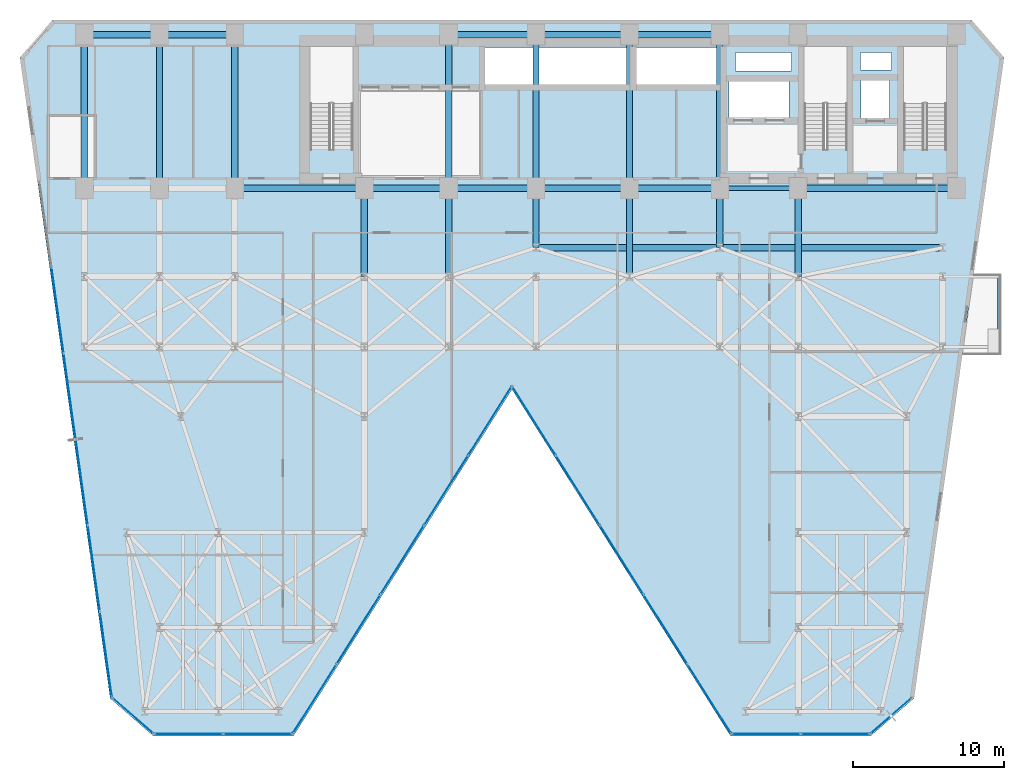
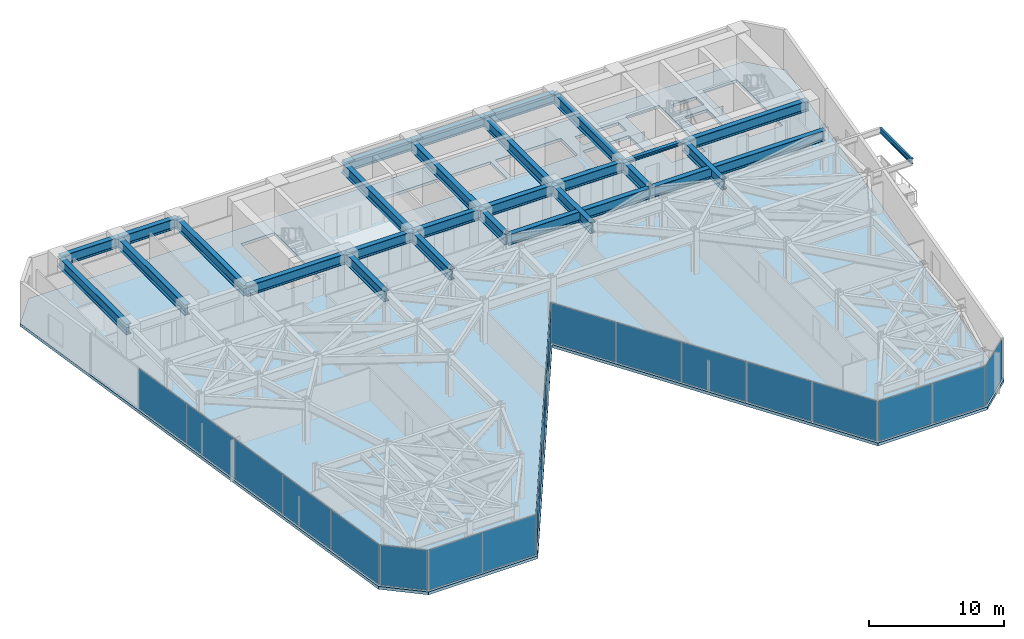
# One storey, part 18 of 25: 28 beams, 21 plates, 1 slab, 7 elements without a shape of their own.
"""IFC4 building model written with IfcOpenShell, lengths in metres."""

import ifcopenshell
import ifcopenshell.guid

model = None  # the IFC model being written
_history = None  # IfcOwnerHistory: only IFC2X3 demands one
_inside = {}  # id of a spatial element -> (the spatial element, [elements in it])
_under = {}  # id of a project, library or spatial element -> (it, [spatial elements below it])
_declared = {}  # id of a project -> (the project, [libraries it declares])
_typed = {}  # id of a type object -> (the type object, [elements of that type])
_made_of = {}  # id of a material, layer set ... -> (it, [elements and type objects made of it])


def new_model(schema):
    """Start an empty IFC model of exactly this schema.

    Asked for "IFC4X3", IfcOpenShell would pick the latest addendum, in which some entities
    have other attributes; the version numbers below select the first issue.
    IFC2X3 requires an IfcOwnerHistory on every rooted entity: one is made here for all.
    """
    global model, _history
    if schema == "IFC4X3":
        model = ifcopenshell.file(schema_version=(4, 3, 0, 0))
    else:
        model = ifcopenshell.file(schema=schema)
    _inside.clear()
    _under.clear()
    _declared.clear()
    _typed.clear()
    _made_of.clear()
    _history = None
    if model.schema == "IFC2X3":
        org = make("IfcOrganization", Name="unknown")
        user = make(
            "IfcPersonAndOrganization",
            ThePerson=make("IfcPerson", FamilyName="unknown"),
            TheOrganization=org,
        )
        app = make(
            "IfcApplication",
            ApplicationDeveloper=org,
            Version="unknown",
            ApplicationFullName="unknown",
            ApplicationIdentifier="unknown",
        )
        _history = make(
            "IfcOwnerHistory",
            OwningUser=user,
            OwningApplication=app,
            ChangeAction="ADDED",
            CreationDate=0,
        )
    return model


def make(cls, **values):
    """One entity of the class cls with the attributes given. An attribute that is None is left unset."""
    return model.create_entity(
        cls, **{name: value for name, value in values.items() if value is not None}
    )


def rooted(cls, **values):
    """An entity with a GlobalId (a new one), such as an element, a storey or a relation."""
    return make(cls, GlobalId=ifcopenshell.guid.new(), OwnerHistory=_history, **values)


def si_unit(unit_type, name, prefix=None):
    """IfcSIUnit, for example si_unit("LENGTHUNIT", "METRE", prefix="MILLI")."""
    return make("IfcSIUnit", UnitType=unit_type, Prefix=prefix, Name=name)


def assignment(units):
    """IfcUnitAssignment: the units of a project."""
    return None if units is None else make("IfcUnitAssignment", Units=units)


def point(xyz):
    """IfcCartesianPoint."""
    return None if xyz is None else make("IfcCartesianPoint", Coordinates=xyz)


def direction(xyz):
    """IfcDirection."""
    return None if xyz is None else make("IfcDirection", DirectionRatios=xyz)


def frame(location, z_axis=None, x_axis=None):
    """IfcAxis2Placement3D, a coordinate frame: its origin and axes. An axis left out is left unset."""
    return make(
        "IfcAxis2Placement3D",
        Location=point(location),
        Axis=direction(z_axis),
        RefDirection=direction(x_axis),
    )


def frame_2d(location, x_axis=None):
    """IfcAxis2Placement2D, a coordinate frame in the plane: its origin and x axis."""
    return make(
        "IfcAxis2Placement2D", Location=point(location), RefDirection=direction(x_axis)
    )


def origin():
    """The frame at (0, 0, 0) with its axes left unset."""
    return frame((0.0, 0.0, 0.0))


def origin_2d():
    """The frame at (0, 0) in the plane with its x axis left unset."""
    return frame_2d((0.0, 0.0))


def place(relative_to, where):
    """IfcLocalPlacement: puts the frame where relative to a parent placement (None: the world)."""
    return make(
        "IfcLocalPlacement", PlacementRelTo=relative_to, RelativePlacement=where
    )


def context(
    kind, dimensions, precision=None, world=None, true_north=None, identifier=None
):
    """IfcGeometricRepresentationContext, for example the 3D "Model" context."""
    return make(
        "IfcGeometricRepresentationContext",
        ContextIdentifier=identifier,
        ContextType=kind,
        CoordinateSpaceDimension=dimensions,
        Precision=precision,
        WorldCoordinateSystem=world,
        TrueNorth=true_north,
    )


def subcontext(parent, identifier, kind, view, scale=None):
    """IfcGeometricRepresentationSubContext, for example "Body" below "Model"."""
    return make(
        "IfcGeometricRepresentationSubContext",
        ContextIdentifier=identifier,
        ContextType=kind,
        ParentContext=parent,
        TargetScale=scale,
        TargetView=view,
    )


def project(units=None, contexts=None):
    """IfcProject with its units and contexts."""
    return rooted(
        "IfcProject",
        Name="project",
        RepresentationContexts=contexts,
        UnitsInContext=assignment(units),
    )


def spatial(cls, under=None, at=None, **own):
    """A site, building, storey or space (cls), placed at a placement, below another one or the project."""
    s = rooted(cls, ObjectPlacement=at, **own)
    if under is not None:
        _under.setdefault(under.id(), (under, []))[1].append(s)
    return s


def polyline(points):
    """IfcPolyline through the points."""
    return make("IfcPolyline", Points=[point(p) for p in points])


def profile(cls, at=None, kind="AREA", **sizes):
    """A parametric profile (cls). Its sizes go by their IFC names, for example OverallWidth=200.0."""
    return make(cls, ProfileType=kind, Position=at, **sizes)


def rectangle(**sizes):
    """IfcRectangleProfileDef."""
    return profile("IfcRectangleProfileDef", **sizes)


def i_section(**sizes):
    """IfcIShapeProfileDef."""
    return profile("IfcIShapeProfileDef", **sizes)


def outline(outer, holes=None, kind="AREA"):
    """IfcArbitraryClosedProfileDef: a profile drawn as a closed curve; with holes, ...WithVoids."""
    if holes is None:
        return make("IfcArbitraryClosedProfileDef", ProfileType=kind, OuterCurve=outer)
    return make(
        "IfcArbitraryProfileDefWithVoids",
        ProfileType=kind,
        OuterCurve=outer,
        InnerCurves=holes,
    )


def extrude(swept, where, along, depth):
    """IfcExtrudedAreaSolid: the profile swept, set in the frame where, extruded along a direction by depth."""
    return make(
        "IfcExtrudedAreaSolid",
        SweptArea=swept,
        Position=where,
        ExtrudedDirection=direction(along),
        Depth=depth,
    )


def shape(context_of_items, identifier, shape_type, items):
    """IfcShapeRepresentation: the items that make up one representation, for example the "Body"."""
    return make(
        "IfcShapeRepresentation",
        ContextOfItems=context_of_items,
        RepresentationIdentifier=identifier,
        RepresentationType=shape_type,
        Items=items,
    )


def material(Name=None, Category=None):
    """IfcMaterial."""
    return make("IfcMaterial", Name=Name, Category=Category)


def layer(
    of_material, thickness, ventilated=None, Name=None, Category=None, Priority=None
):
    """IfcMaterialLayer: one layer of a wall or slab, of a material (None: an air gap)."""
    return make(
        "IfcMaterialLayer",
        Material=of_material,
        LayerThickness=thickness,
        IsVentilated=ventilated,
        Name=Name,
        Category=Category,
        Priority=Priority,
    )


def layer_set(layers, Name=None):
    """IfcMaterialLayerSet."""
    return make("IfcMaterialLayerSet", MaterialLayers=layers, LayerSetName=Name)


def material_profile(
    of_material, cross_section, Name=None, Category=None, Priority=None
):
    """IfcMaterialProfile: a cross section and its material."""
    return make(
        "IfcMaterialProfile",
        Name=Name,
        Material=of_material,
        Profile=cross_section,
        Priority=Priority,
        Category=Category,
    )


def profile_set(profiles, Name=None, composite=None):
    """IfcMaterialProfileSet."""
    return make(
        "IfcMaterialProfileSet",
        Name=Name,
        MaterialProfiles=profiles,
        CompositeProfile=composite,
    )


def made_of(thing, what):
    """Note that an element or type object is made of a material, layer set ...; save() writes the relation."""
    if what is not None:
        _made_of.setdefault(what.id(), (what, []))[1].append(thing)
    return thing


def type_object(cls, material=None, **own):
    """A type object (cls), such as IfcWallType, which elements share."""
    return made_of(rooted(cls, **own), material)


def element(
    cls,
    number,
    at=None,
    inside=None,
    cuts=None,
    type_object=None,
    material=None,
    context=None,
    identifier="Body",
    shape_type=None,
    held_by="IfcProductDefinitionShape",
    body=None,
    shapes=None,
    **own,
):
    """One element of the class cls, such as IfcWall. Its Tag is "e" and its number.

    at: its placement. inside: the storey or other place that contains it. cuts: it is an
    opening in that element (IfcRelVoidsElement). A single representation is given by context,
    identifier, shape_type and body (its items); several are given by shapes. held_by: the class
    of the entity that holds the representations. save() writes the other relations.
    """
    e = rooted(cls, Tag="e%d" % number, ObjectPlacement=at, **own)
    if body is not None:
        shapes = [shape(context, identifier, shape_type, body)]
    if shapes is not None:
        e.Representation = make(held_by, Representations=shapes)
    if inside is not None:
        _inside.setdefault(inside.id(), (inside, []))[1].append(e)
    if cuts is not None:
        rooted(
            "IfcRelVoidsElement", RelatingBuildingElement=cuts, RelatedOpeningElement=e
        )
    if type_object is not None:
        _typed.setdefault(type_object.id(), (type_object, []))[1].append(e)
    return made_of(e, material)


def aggregate(whole, parts):
    """IfcRelAggregates: a whole, such as a stair, and the parts it consists of."""
    return rooted("IfcRelAggregates", RelatingObject=whole, RelatedObjects=parts)


def save(model, path):
    """Write the relations noted so far, then the file.

    IfcRelAggregates (storeys below a building ...), IfcRelContainedInSpatialStructure (elements
    in a storey), IfcRelDefinesByType, IfcRelAssociatesMaterial and IfcRelDeclares: one each for
    every whole, place, type object, material and project.
    """
    for whole, parts in _under.values():
        aggregate(whole, parts)
    for where, things in _inside.values():
        rooted(
            "IfcRelContainedInSpatialStructure",
            RelatedElements=things,
            RelatingStructure=where,
        )
    for kind, things in _typed.values():
        rooted("IfcRelDefinesByType", RelatedObjects=things, RelatingType=kind)
    for what, things in _made_of.values():
        rooted("IfcRelAssociatesMaterial", RelatedObjects=things, RelatingMaterial=what)
    for by, libraries in _declared.values():
        rooted("IfcRelDeclares", RelatingContext=by, RelatedDefinitions=libraries)
    model.write(path)


model = new_model("IFC4")

# Units and contexts
model_context = context("Model", 3, precision=1e-05, world=origin(), true_north=direction((0.0, 1.0)))
body_context = subcontext(model_context, "Body", "Model", "MODEL_VIEW")
ifc_project = project(units=[si_unit("LENGTHUNIT", "METRE"), si_unit("AREAUNIT", "SQUARE_METRE"), si_unit("VOLUMEUNIT", "CUBIC_METRE"), si_unit("PLANEANGLEUNIT", "RADIAN"), si_unit("MASSUNIT", "GRAM", prefix="KILO")], contexts=[model_context])

# Site, building, storey
site_placement = place(None, origin())
site = spatial("IfcSite", under=ifc_project, at=site_placement, CompositionType="ELEMENT")
building_placement = place(site_placement, origin())
building = spatial("IfcBuilding", under=site, at=building_placement, Name="Kravanh Interchange Tower", CompositionType="ELEMENT")
storey_placement = place(building_placement, frame((0.0, 0.0, 41.5)))
storey = spatial("IfcBuildingStorey", under=building, at=storey_placement, Name="L09", CompositionType="ELEMENT", Elevation=41.5)

# Beams
ifc_material_1 = material(Name="Structural Steel S355", Category="steel")
ifc_material_profile_1 = material_profile(ifc_material_1, i_section(OverallWidth=0.41796875, OverallDepth=0.927001953125, WebThickness=0.019287109375, FlangeThickness=0.031982421875, FilletRadius=0.028076171875, at=origin_2d()), Name="W36X231")
ifc_profile_set_1 = profile_set([ifc_material_profile_1], Name="Structural Steel S355")
beam_type_1 = type_object("IfcBeamType", Name="Floor Beam W36X231 Structural Steel S355", PredefinedType="BEAM", material=ifc_profile_set_1)
beam_1_placement = place(storey_placement, frame((66.5, 37.35009765625, 3.276611328125), z_axis=(-1.0, 0.0, 0.0), x_axis=(0.0, -1.0, 0.0)))
element("IfcBeam", 1, at=beam_1_placement, inside=storey, type_object=beam_type_1, Name="L09 Primary Floor Girder 5", PredefinedType="BEAM", context=body_context, shape_type="SweptSolid", body=[
    extrude(i_section(OverallWidth=0.41796875, OverallDepth=0.927001953125, WebThickness=0.019287109375, FlangeThickness=0.031982421875, FilletRadius=0.028076171875, at=origin_2d()), origin(), (0.0, 0.0, 1.0), 10.5),
])
beam_2_placement = place(storey_placement, frame((56.0, 37.35009765625, 3.276611328125), z_axis=(0.0, -1.0, 0.0), x_axis=(1.0, 0.0, 0.0)))
element("IfcBeam", 2, at=beam_2_placement, inside=storey, type_object=beam_type_1, Name="L09 Primary Floor Girder 7", PredefinedType="BEAM", context=body_context, shape_type="SweptSolid", body=[
    extrude(i_section(OverallWidth=0.41796875, OverallDepth=0.927001953125, WebThickness=0.019287109375, FlangeThickness=0.031982421875, FilletRadius=0.028076171875, at=origin_2d()), origin(), (0.0, 0.0, 1.0), 5.85009765625),
])
beam_3_placement = place(storey_placement, frame((50.800048828125, 47.550048828125, 3.276611328125), z_axis=(-1.0, 0.0, 0.0), x_axis=(0.0, -1.0, 0.0)))
element("IfcBeam", 3, at=beam_3_placement, inside=storey, type_object=beam_type_1, Name="L09 Primary Floor Girder 8", PredefinedType="BEAM", context=body_context, shape_type="SweptSolid", body=[
    extrude(i_section(OverallWidth=0.41796875, OverallDepth=0.927001953125, WebThickness=0.019287109375, FlangeThickness=0.031982421875, FilletRadius=0.028076171875, at=origin_2d()), origin(), (0.0, 0.0, 1.0), 6.0),
])
beam_4_placement = place(storey_placement, frame((50.800048828125, 47.550048828125, 3.276611328125), z_axis=(0.0, -1.0, 0.0), x_axis=(1.0, 0.0, 0.0)))
element("IfcBeam", 4, at=beam_4_placement, inside=storey, type_object=beam_type_1, Name="L09 Primary Floor Girder 9", PredefinedType="BEAM", context=body_context, shape_type="SweptSolid", body=[
    extrude(i_section(OverallWidth=0.41796875, OverallDepth=0.927001953125, WebThickness=0.019287109375, FlangeThickness=0.031982421875, FilletRadius=0.028076171875, at=origin_2d()), origin(), (0.0, 0.0, 1.0), 10.199951171875),
])
beam_5_placement = place(storey_placement, frame((50.800048828125, 37.35009765625, 3.276611328125), z_axis=(0.0, -1.0, 0.0), x_axis=(1.0, 0.0, 0.0)))
element("IfcBeam", 5, at=beam_5_placement, inside=storey, type_object=beam_type_1, Name="L09 Primary Floor Girder 10", PredefinedType="BEAM", context=body_context, shape_type="SweptSolid", body=[
    extrude(i_section(OverallWidth=0.41796875, OverallDepth=0.927001953125, WebThickness=0.019287109375, FlangeThickness=0.031982421875, FilletRadius=0.028076171875, at=origin_2d()), origin(), (0.0, 0.0, 1.0), 3.9501953125),
])
beam_6_placement = place(storey_placement, frame((50.800048828125, 37.35009765625, 3.276611328125), z_axis=(-1.0, 0.0, 0.0), x_axis=(0.0, -1.0, 0.0)))
element("IfcBeam", 6, at=beam_6_placement, inside=storey, type_object=beam_type_1, Name="L09 Primary Floor Girder 11", PredefinedType="BEAM", context=body_context, shape_type="SweptSolid", body=[
    extrude(i_section(OverallWidth=0.41796875, OverallDepth=0.927001953125, WebThickness=0.019287109375, FlangeThickness=0.031982421875, FilletRadius=0.028076171875, at=origin_2d()), origin(), (0.0, 0.0, 1.0), 6.0),
])
beam_7_placement = place(storey_placement, frame((44.800048828125, 37.35009765625, 3.276611328125), z_axis=(0.0, -1.0, 0.0), x_axis=(1.0, 0.0, 0.0)))
element("IfcBeam", 7, at=beam_7_placement, inside=storey, type_object=beam_type_1, Name="L09 Primary Floor Girder 12", PredefinedType="BEAM", context=body_context, shape_type="SweptSolid", body=[
    extrude(i_section(OverallWidth=0.41796875, OverallDepth=0.927001953125, WebThickness=0.019287109375, FlangeThickness=0.031982421875, FilletRadius=0.028076171875, at=origin_2d()), origin(), (0.0, 0.0, 1.0), 5.85009765625),
])
beam_8_placement = place(storey_placement, frame((44.800048828125, 37.35009765625, 3.276611328125), z_axis=(-1.0, 0.0, 0.0), x_axis=(0.0, -1.0, 0.0)))
element("IfcBeam", 8, at=beam_8_placement, inside=storey, type_object=beam_type_1, Name="L09 Primary Floor Girder 13", PredefinedType="BEAM", context=body_context, shape_type="SweptSolid", body=[
    extrude(i_section(OverallWidth=0.41796875, OverallDepth=0.927001953125, WebThickness=0.019287109375, FlangeThickness=0.031982421875, FilletRadius=0.028076171875, at=origin_2d()), origin(), (0.0, 0.0, 1.0), 6.199951171875),
])
beam_9_placement = place(storey_placement, frame((44.800048828125, 37.35009765625, 3.276611328125), z_axis=(0.0, 1.0, 0.0), x_axis=(-1.0, 0.0, 0.0)))
element("IfcBeam", 9, at=beam_9_placement, inside=storey, type_object=beam_type_1, Name="L09 Primary Floor Girder 14", PredefinedType="BEAM", context=body_context, shape_type="SweptSolid", body=[
    extrude(i_section(OverallWidth=0.41796875, OverallDepth=0.927001953125, WebThickness=0.019287109375, FlangeThickness=0.031982421875, FilletRadius=0.028076171875, at=origin_2d()), origin(), (0.0, 0.0, 1.0), 10.199951171875),
])
beam_10_placement = place(storey_placement, frame((44.800048828125, 47.550048828125, 3.276611328125), z_axis=(-1.0, 0.0, 0.0), x_axis=(0.0, -1.0, 0.0)))
element("IfcBeam", 10, at=beam_10_placement, inside=storey, type_object=beam_type_1, Name="L09 Primary Floor Girder 15", PredefinedType="BEAM", context=body_context, shape_type="SweptSolid", body=[
    extrude(i_section(OverallWidth=0.41796875, OverallDepth=0.927001953125, WebThickness=0.019287109375, FlangeThickness=0.031982421875, FilletRadius=0.028076171875, at=origin_2d()), origin(), (0.0, 0.0, 1.0), 6.199951171875),
])
beam_11_placement = place(storey_placement, frame((38.60009765625, 37.35009765625, 3.276611328125), z_axis=(0.0, -1.0, 0.0), x_axis=(1.0, 0.0, 0.0)))
element("IfcBeam", 11, at=beam_11_placement, inside=storey, type_object=beam_type_1, Name="L09 Primary Floor Girder 16", PredefinedType="BEAM", context=body_context, shape_type="SweptSolid", body=[
    extrude(i_section(OverallWidth=0.41796875, OverallDepth=0.927001953125, WebThickness=0.019287109375, FlangeThickness=0.031982421875, FilletRadius=0.028076171875, at=origin_2d()), origin(), (0.0, 0.0, 1.0), 3.9501953125),
])
beam_12_placement = place(storey_placement, frame((38.60009765625, 37.35009765625, 3.276611328125), z_axis=(-1.0, 0.0, 0.0), x_axis=(0.0, -1.0, 0.0)))
element("IfcBeam", 12, at=beam_12_placement, inside=storey, type_object=beam_type_1, Name="L09 Primary Floor Girder 17", PredefinedType="BEAM", context=body_context, shape_type="SweptSolid", body=[
    extrude(i_section(OverallWidth=0.41796875, OverallDepth=0.927001953125, WebThickness=0.019287109375, FlangeThickness=0.031982421875, FilletRadius=0.028076171875, at=origin_2d()), origin(), (0.0, 0.0, 1.0), 5.800048828125),
])
beam_13_placement = place(storey_placement, frame((38.60009765625, 37.35009765625, 3.276611328125), z_axis=(0.0, 1.0, 0.0), x_axis=(-1.0, 0.0, 0.0)))
element("IfcBeam", 13, at=beam_13_placement, inside=storey, type_object=beam_type_1, Name="L09 Primary Floor Girder 18", PredefinedType="BEAM", context=body_context, shape_type="SweptSolid", body=[
    extrude(i_section(OverallWidth=0.41796875, OverallDepth=0.927001953125, WebThickness=0.019287109375, FlangeThickness=0.031982421875, FilletRadius=0.028076171875, at=origin_2d()), origin(), (0.0, 0.0, 1.0), 10.199951171875),
])
beam_14_placement = place(storey_placement, frame((38.60009765625, 47.550048828125, 3.276611328125), z_axis=(-1.0, 0.0, 0.0), x_axis=(0.0, -1.0, 0.0)))
element("IfcBeam", 14, at=beam_14_placement, inside=storey, type_object=beam_type_1, Name="L09 Primary Floor Girder 19", PredefinedType="BEAM", context=body_context, shape_type="SweptSolid", body=[
    extrude(i_section(OverallWidth=0.41796875, OverallDepth=0.927001953125, WebThickness=0.019287109375, FlangeThickness=0.031982421875, FilletRadius=0.028076171875, at=origin_2d()), origin(), (0.0, 0.0, 1.0), 5.800048828125),
])
beam_15_placement = place(storey_placement, frame((32.800048828125, 37.35009765625, 3.276611328125), z_axis=(-1.0, 0.0, 0.0), x_axis=(0.0, -1.0, 0.0)))
element("IfcBeam", 15, at=beam_15_placement, inside=storey, type_object=beam_type_1, Name="L09 Primary Floor Girder 20", PredefinedType="BEAM", context=body_context, shape_type="SweptSolid", body=[
    extrude(i_section(OverallWidth=0.41796875, OverallDepth=0.927001953125, WebThickness=0.019287109375, FlangeThickness=0.031982421875, FilletRadius=0.028076171875, at=origin_2d()), origin(), (0.0, 0.0, 1.0), 5.60009765625),
])
beam_16_placement = place(storey_placement, frame((32.800048828125, 37.35009765625, 3.276611328125), z_axis=(0.0, -1.0, 0.0), x_axis=(1.0, 0.0, 0.0)))
element("IfcBeam", 16, at=beam_16_placement, inside=storey, type_object=beam_type_1, Name="L09 Primary Floor Girder 21", PredefinedType="BEAM", context=body_context, shape_type="SweptSolid", body=[
    extrude(i_section(OverallWidth=0.41796875, OverallDepth=0.927001953125, WebThickness=0.019287109375, FlangeThickness=0.031982421875, FilletRadius=0.028076171875, at=origin_2d()), origin(), (0.0, 0.0, 1.0), 5.85009765625),
])
beam_17_placement = place(storey_placement, frame((32.800048828125, 37.35009765625, 3.276611328125), z_axis=(0.0, 1.0, 0.0), x_axis=(-1.0, 0.0, 0.0)))
element("IfcBeam", 17, at=beam_17_placement, inside=storey, type_object=beam_type_1, Name="L09 Primary Floor Girder 22", PredefinedType="BEAM", context=body_context, shape_type="SweptSolid", body=[
    extrude(i_section(OverallWidth=0.41796875, OverallDepth=0.927001953125, WebThickness=0.019287109375, FlangeThickness=0.031982421875, FilletRadius=0.028076171875, at=origin_2d()), origin(), (0.0, 0.0, 1.0), 10.199951171875),
])
beam_18_placement = place(storey_placement, frame((27.199951171875, 37.35009765625, 3.276611328125), z_axis=(0.0, -1.0, 0.0), x_axis=(1.0, 0.0, 0.0)))
element("IfcBeam", 18, at=beam_18_placement, inside=storey, type_object=beam_type_1, Name="L09 Primary Floor Girder 24", PredefinedType="BEAM", context=body_context, shape_type="SweptSolid", body=[
    extrude(i_section(OverallWidth=0.41796875, OverallDepth=0.927001953125, WebThickness=0.019287109375, FlangeThickness=0.031982421875, FilletRadius=0.028076171875, at=origin_2d()), origin(), (0.0, 0.0, 1.0), 5.85009765625),
])
beam_19_placement = place(storey_placement, frame((27.199951171875, 37.35009765625, 3.276611328125), z_axis=(-1.0, 0.0, 0.0), x_axis=(0.0, -1.0, 0.0)))
element("IfcBeam", 19, at=beam_19_placement, inside=storey, type_object=beam_type_1, Name="L09 Primary Floor Girder 25", PredefinedType="BEAM", context=body_context, shape_type="SweptSolid", body=[
    extrude(i_section(OverallWidth=0.41796875, OverallDepth=0.927001953125, WebThickness=0.019287109375, FlangeThickness=0.031982421875, FilletRadius=0.028076171875, at=origin_2d()), origin(), (0.0, 0.0, 1.0), 8.599853515625),
])
beam_20_placement = place(storey_placement, frame((18.60009765625, 37.35009765625, 3.276611328125), z_axis=(0.0, 1.0, 0.0), x_axis=(-1.0, 0.0, 0.0)))
element("IfcBeam", 20, at=beam_20_placement, inside=storey, type_object=beam_type_1, Name="L09 Primary Floor Girder 30", PredefinedType="BEAM", context=body_context, shape_type="SweptSolid", body=[
    extrude(i_section(OverallWidth=0.41796875, OverallDepth=0.927001953125, WebThickness=0.019287109375, FlangeThickness=0.031982421875, FilletRadius=0.028076171875, at=origin_2d()), origin(), (0.0, 0.0, 1.0), 10.199951171875),
])
beam_21_placement = place(storey_placement, frame((18.60009765625, 47.550048828125, 3.276611328125), z_axis=(-1.0, 0.0, 0.0), x_axis=(0.0, -1.0, 0.0)))
element("IfcBeam", 21, at=beam_21_placement, inside=storey, type_object=beam_type_1, Name="L09 Primary Floor Girder 31", PredefinedType="BEAM", context=body_context, shape_type="SweptSolid", body=[
    extrude(i_section(OverallWidth=0.41796875, OverallDepth=0.927001953125, WebThickness=0.019287109375, FlangeThickness=0.031982421875, FilletRadius=0.028076171875, at=origin_2d()), origin(), (0.0, 0.0, 1.0), 5.0),
])
beam_22_placement = place(storey_placement, frame((13.60009765625, 37.35009765625, 3.276611328125), z_axis=(0.0, 1.0, 0.0), x_axis=(-1.0, 0.0, 0.0)))
element("IfcBeam", 22, at=beam_22_placement, inside=storey, type_object=beam_type_1, Name="L09 Primary Floor Girder 34", PredefinedType="BEAM", context=body_context, shape_type="SweptSolid", body=[
    extrude(i_section(OverallWidth=0.41796875, OverallDepth=0.927001953125, WebThickness=0.019287109375, FlangeThickness=0.031982421875, FilletRadius=0.028076171875, at=origin_2d()), origin(), (0.0, 0.0, 1.0), 10.199951171875),
])
beam_23_placement = place(storey_placement, frame((13.60009765625, 47.550048828125, 3.276611328125), z_axis=(-1.0, 0.0, 0.0), x_axis=(0.0, -1.0, 0.0)))
element("IfcBeam", 23, at=beam_23_placement, inside=storey, type_object=beam_type_1, Name="L09 Primary Floor Girder 35", PredefinedType="BEAM", context=body_context, shape_type="SweptSolid", body=[
    extrude(i_section(OverallWidth=0.41796875, OverallDepth=0.927001953125, WebThickness=0.019287109375, FlangeThickness=0.031982421875, FilletRadius=0.028076171875, at=origin_2d()), origin(), (0.0, 0.0, 1.0), 5.0),
])
beam_24_placement = place(storey_placement, frame((8.60009765625, 37.35009765625, 3.276611328125), z_axis=(0.0, 1.0, 0.0), x_axis=(-1.0, 0.0, 0.0)))
element("IfcBeam", 24, at=beam_24_placement, inside=storey, type_object=beam_type_1, Name="L09 Primary Floor Girder 37", PredefinedType="BEAM", context=body_context, shape_type="SweptSolid", body=[
    extrude(i_section(OverallWidth=0.41796875, OverallDepth=0.927001953125, WebThickness=0.019287109375, FlangeThickness=0.031982421875, FilletRadius=0.028076171875, at=origin_2d()), origin(), (0.0, 0.0, 1.0), 10.199951171875),
])
beam_25_placement = place(storey_placement, frame((38.60009765625, 33.39990234375, 3.276611328125), z_axis=(1.0, 0.0, 0.0), x_axis=(0.0, 1.0, 0.0)))
element("IfcBeam", 25, at=beam_25_placement, inside=storey, type_object=beam_type_1, Name="L09 Primary Floor Girder 145", PredefinedType="BEAM", context=body_context, shape_type="SweptSolid", body=[
    extrude(i_section(OverallWidth=0.41796875, OverallDepth=0.927001953125, WebThickness=0.019287109375, FlangeThickness=0.031982421875, FilletRadius=0.028076171875, at=origin_2d()), origin(), (0.0, 0.0, 1.0), 12.199951171875),
])
beam_26_placement = place(storey_placement, frame((50.800048828125, 33.39990234375, 3.276611328125), z_axis=(1.0, 0.0, 0.0), x_axis=(0.0, 1.0, 0.0)))
element("IfcBeam", 26, at=beam_26_placement, inside=storey, type_object=beam_type_1, Name="L09 Primary Floor Girder 146", PredefinedType="BEAM", context=body_context, shape_type="SweptSolid", body=[
    extrude(i_section(OverallWidth=0.41796875, OverallDepth=0.927001953125, WebThickness=0.019287109375, FlangeThickness=0.031982421875, FilletRadius=0.028076171875, at=origin_2d()), origin(), (0.0, 0.0, 1.0), 14.800048828125),
])
ifc_material_2 = material(Name="Structural Steel S355", Category="steel")
ifc_material_profile_2 = material_profile(ifc_material_2, i_section(OverallWidth=0.18994140625, OverallDepth=0.45703125, WebThickness=0.009033203125, FlangeThickness=0.014404296875, FilletRadius=0.01806640625, at=origin_2d()), Name="W18X50")
ifc_profile_set_2 = profile_set([ifc_material_profile_2], Name="Structural Steel S355")
beam_type_2 = type_object("IfcBeamType", Name="Floor Joist W18X50 Structural Steel S355", PredefinedType="JOIST", material=ifc_profile_set_2)
beam_27_placement = place(storey_placement, frame((69.330078125, 26.800048828125, 3.511474609375), z_axis=(0.0, 1.0, 0.0), x_axis=(-1.0, 0.0, 0.0)))
element("IfcBeam", 27, at=beam_27_placement, inside=storey, type_object=beam_type_2, Name="L09 Balcony Edge Tie Beam E", PredefinedType="JOIST", context=body_context, shape_type="SweptSolid", body=[
    extrude(i_section(OverallWidth=0.18994140625, OverallDepth=0.45703125, WebThickness=0.009033203125, FlangeThickness=0.014404296875, FilletRadius=0.01806640625, at=origin_2d()), origin(), (0.0, 0.0, 1.0), 4.699951171875),
])
ifc_material_3 = material(Name="Structural Steel S355", Category="steel")
ifc_material_profile_3 = material_profile(ifc_material_3, i_section(OverallWidth=0.304931640625, OverallDepth=0.306884765625, WebThickness=0.010009765625, FlangeThickness=0.015380859375, FilletRadius=0.014892578125, at=origin_2d()), Name="W12X65")
ifc_profile_set_3 = profile_set([ifc_material_profile_3], Name="Structural Steel S355")
beam_type_3 = type_object("IfcBeamType", Name="Floor Lintel W12X65 Structural Steel S355", PredefinedType="LINTEL", material=ifc_profile_set_3)
beam_28_placement = place(storey_placement, frame((50.800048828125, 37.35009765625, 3.58642578125), z_axis=(1.0, 0.0, 0.0), x_axis=(0.0, 1.0, 0.0)))
element("IfcBeam", 28, at=beam_28_placement, inside=storey, type_object=beam_type_3, Name="L09 Core Coupling Lintel 1", PredefinedType="LINTEL", context=body_context, shape_type="SweptSolid", body=[
    extrude(i_section(OverallWidth=0.304931640625, OverallDepth=0.306884765625, WebThickness=0.010009765625, FlangeThickness=0.015380859375, FilletRadius=0.014892578125, at=origin_2d()), origin(), (0.0, 0.0, 1.0), 5.199951171875),
])

# Slab
ifc_material_4 = material(Name="Concrete C50/60", Category="concrete")
ifc_layer_1 = layer(ifc_material_4, 0.260009765625)
ifc_layer_set_1 = layer_set([ifc_layer_1], Name="Composite Floor Slab Concrete C50/60 260mm")
slab_type = type_object("IfcSlabType", Name="Composite Floor Slab Concrete C50/60 260mm", PredefinedType="FLOOR", material=ifc_layer_set_1)
slab_placement = place(storey_placement, frame((0.0, 0.0, -0.260009765625)))
element("IfcSlab", 29, at=slab_placement, inside=storey, type_object=slab_type, Name="L09 Structural Floor Slab", PredefinedType="FLOOR", context=body_context, shape_type="SweptSolid", body=[
    extrude(outline(polyline([(10.327880859375, 3.4755859375), (13.17578125, 1.0), (22.5, 1.0), (37.0, 24.0), (51.5, 1.0), (60.82421875, 1.0), (63.672119140625, 3.4755859375), (69.652099609375, 46.0244140625), (67.5, 48.5), (6.5, 48.5), (4.347900390625, 46.0244140625), (10.327880859375, 3.4755859375)]), holes=[polyline([(65.85009765625, 39.925048828125), (65.85009765625, 46.75), (63.0, 46.75), (63.0, 39.925048828125), (65.85009765625, 39.925048828125)]), polyline([(59.25, 39.925048828125), (59.25, 46.75), (56.39990234375, 46.75), (56.39990234375, 39.925048828125), (59.25, 39.925048828125)]), polyline([(26.449951171875, 39.925048828125), (26.449951171875, 46.75), (23.60009765625, 46.75), (23.60009765625, 39.925048828125), (26.449951171875, 39.925048828125)]), polyline([(35.179931640625, 44.219970703125), (44.840087890625, 44.219970703125), (44.840087890625, 46.699951171875), (35.179931640625, 46.699951171875), (35.179931640625, 44.219970703125)]), polyline([(45.239990234375, 44.219970703125), (50.840087890625, 44.219970703125), (50.840087890625, 46.699951171875), (45.239990234375, 46.699951171875), (45.239990234375, 44.219970703125)]), polyline([(51.419921875, 42.02001953125), (55.3798828125, 42.02001953125), (55.3798828125, 44.47998046875), (51.419921875, 44.47998046875), (51.419921875, 42.02001953125)]), polyline([(60.179931640625, 41.97998046875), (62.06005859375, 41.97998046875), (62.06005859375, 44.52001953125), (60.179931640625, 44.52001953125), (60.179931640625, 41.97998046875)]), polyline([(60.14990234375, 45.199951171875), (62.199951171875, 45.199951171875), (62.199951171875, 46.35009765625), (60.14990234375, 46.35009765625), (60.14990234375, 45.199951171875)]), polyline([(51.85009765625, 45.14990234375), (55.550048828125, 45.14990234375), (55.550048828125, 46.35009765625), (51.85009765625, 46.35009765625), (51.85009765625, 45.14990234375)])]), origin(), (0.0, 0.0, 1.0), 0.260009765625),
])

# Curtain wall, plates
ifc_material_5 = material(Name="Anodised Bronze Aluminium", Category="aluminium")
ifc_layer_2 = layer(ifc_material_5, 0.179931640625)
ifc_layer_set_2 = layer_set([ifc_layer_2], Name="Unitised Curtain Wall System CW-Z1 Lower Office")
curtain_wall_type = type_object("IfcCurtainWallType", Name="Unitised Curtain Wall System CW-Z1 Lower Office", PredefinedType="NOTDEFINED", material=ifc_layer_set_2)
curtain_wall_1_placement = place(storey_placement, origin())
curtain_wall_1 = element("IfcCurtainWall", 30, at=curtain_wall_1_placement, inside=storey, type_object=curtain_wall_type, Name="L09 Unitised Curtain Wall CW-L09-01", PredefinedType="NOTDEFINED")
ifc_material_6 = material(Name="Low-E Laminated Architectural Glass", Category="glass")
ifc_layer_3 = layer(ifc_material_6, 0.028076171875)
ifc_layer_set_3 = layer_set([ifc_layer_3], Name="Solar-Control Double Glazing 28mm")
plate_type = type_object("IfcPlateType", Name="Solar-Control Double Glazing 28mm", PredefinedType="CURTAIN_PANEL", material=ifc_layer_set_3)
plate_1_placement = place(storey_placement, frame((10.03662109375, 6.409423828125, 0.06005859375), z_axis=(0.0, 0.0, 1.0), x_axis=(-0.139176538065, 0.990267585682, 0.0)))
plate_1 = element("IfcPlate", 31, at=plate_1_placement, type_object=plate_type, Name="CW-Z1 panel 1.1", PredefinedType="CURTAIN_PANEL", context=body_context, shape_type="SweptSolid", body=[
    extrude(rectangle(XDim=5.66162109375, YDim=0.028076171875, at=origin_2d()), origin(), (0.0, 0.0, 1.0), 3.6201171875),
])
plate_2_placement = place(storey_placement, frame((9.236572265625, 12.1025390625, 0.06005859375), z_axis=(0.0, 0.0, 1.0), x_axis=(-0.139176538065, 0.990267585682, 0.0)))
plate_2 = element("IfcPlate", 32, at=plate_2_placement, type_object=plate_type, Name="CW-Z1 panel 2.1", PredefinedType="CURTAIN_PANEL", context=body_context, shape_type="SweptSolid", body=[
    extrude(rectangle(XDim=5.69677734375, YDim=0.028076171875, at=origin_2d()), origin(), (0.0, 0.0, 1.0), 3.6201171875),
])
plate_3_placement = place(storey_placement, frame((8.433837890625, 17.813232421875, 0.06005859375), z_axis=(0.0, 0.0, 1.0), x_axis=(-0.139176538065, 0.990267585682, 0.0)))
plate_3 = element("IfcPlate", 33, at=plate_3_placement, type_object=plate_type, Name="CW-Z1 panel 3.1", PredefinedType="CURTAIN_PANEL", context=body_context, shape_type="SweptSolid", body=[
    extrude(rectangle(XDim=5.69677734375, YDim=0.028076171875, at=origin_2d()), origin(), (0.0, 0.0, 1.0), 3.6201171875),
])
plate_4_placement = place(storey_placement, frame((7.63134765625, 23.523681640625, 0.06005859375), z_axis=(0.0, 0.0, 1.0), x_axis=(-0.139176538065, 0.990267585682, 0.0)))
plate_4 = element("IfcPlate", 34, at=plate_4_placement, type_object=plate_type, Name="CW-Z1 panel 4.1", PredefinedType="CURTAIN_PANEL", context=body_context, shape_type="SweptSolid", body=[
    extrude(rectangle(XDim=5.69677734375, YDim=0.028076171875, at=origin_2d()), origin(), (0.0, 0.0, 1.0), 3.6201171875),
])
plate_5_placement = place(storey_placement, frame((6.828857421875, 29.234130859375, 0.06005859375), z_axis=(0.0, 0.0, 1.0), x_axis=(-0.139176538065, 0.990267585682, 0.0)))
plate_5 = element("IfcPlate", 35, at=plate_5_placement, type_object=plate_type, Name="CW-Z1 panel 5.1", PredefinedType="CURTAIN_PANEL", context=body_context, shape_type="SweptSolid", body=[
    extrude(rectangle(XDim=5.69677734375, YDim=0.028076171875, at=origin_2d()), origin(), (0.0, 0.0, 1.0), 3.6201171875),
])
aggregate(curtain_wall_1, [plate_1, plate_2, plate_3, plate_4, plate_5])

# Curtain wall, plate
curtain_wall_2_placement = place(storey_placement, origin())
curtain_wall_2 = element("IfcCurtainWall", 36, at=curtain_wall_2_placement, inside=storey, type_object=curtain_wall_type, Name="L09 Unitised Curtain Wall CW-L09-02", PredefinedType="NOTDEFINED")
plate_6_placement = place(storey_placement, frame((62.16943359375, 2.328369140625, 0.06005859375), z_axis=(0.0, 0.0, 1.0), x_axis=(-0.754708368999, -0.656060422341, 0.0)))
plate_6 = element("IfcPlate", 37, at=plate_6_placement, type_object=plate_type, Name="CW-Z1 panel 1.1", PredefinedType="CURTAIN_PANEL", context=body_context, shape_type="SweptSolid", body=[
    extrude(rectangle(XDim=3.543701171875, YDim=0.028076171875, at=origin_2d()), origin(), (0.0, 0.0, 1.0), 3.6201171875),
])
aggregate(curtain_wall_2, [plate_6])

# Curtain wall, plates
curtain_wall_3_placement = place(storey_placement, origin())
curtain_wall_3 = element("IfcCurtainWall", 38, at=curtain_wall_3_placement, inside=storey, type_object=curtain_wall_type, Name="L09 Unitised Curtain Wall CW-L09-03", PredefinedType="NOTDEFINED")
plate_7_placement = place(storey_placement, frame((58.45849609375, 1.1201171875, 0.06005859375), z_axis=(0.0, 0.0, 1.0), x_axis=(-1.0, 0.0, 0.0)))
plate_7 = element("IfcPlate", 39, at=plate_7_placement, type_object=plate_type, Name="CW-Z1 panel 1.1", PredefinedType="CURTAIN_PANEL", context=body_context, shape_type="SweptSolid", body=[
    extrude(rectangle(XDim=4.501708984375, YDim=0.028076171875, at=origin_2d()), origin(), (0.0, 0.0, 1.0), 3.6201171875),
])
plate_8_placement = place(storey_placement, frame((53.886962890625, 1.1201171875, 0.06005859375), z_axis=(0.0, 0.0, 1.0), x_axis=(-1.0, 0.0, 0.0)))
plate_8 = element("IfcPlate", 40, at=plate_8_placement, type_object=plate_type, Name="CW-Z1 panel 2.1", PredefinedType="CURTAIN_PANEL", context=body_context, shape_type="SweptSolid", body=[
    extrude(rectangle(XDim=4.501708984375, YDim=0.028076171875, at=origin_2d()), origin(), (0.0, 0.0, 1.0), 3.6201171875),
])
aggregate(curtain_wall_3, [plate_7, plate_8])

curtain_wall_4_placement = place(storey_placement, origin())
curtain_wall_4 = element("IfcCurtainWall", 41, at=curtain_wall_4_placement, inside=storey, type_object=curtain_wall_type, Name="L09 Unitised Curtain Wall CW-L09-04", PredefinedType="NOTDEFINED")
plate_9_placement = place(storey_placement, frame((50.100341796875, 3.4453125, 0.06005859375), z_axis=(0.0, 0.0, 1.0), x_axis=(-0.53330103728, 0.845925530786, 0.0)))
plate_9 = element("IfcPlate", 42, at=plate_9_placement, type_object=plate_type, Name="CW-Z1 panel 1.1", PredefinedType="CURTAIN_PANEL", context=body_context, shape_type="SweptSolid", body=[
    extrude(rectangle(XDim=5.357666015625, YDim=0.028076171875, at=origin_2d()), origin(), (0.0, 0.0, 1.0), 3.6201171875),
])
plate_10_placement = place(storey_placement, frame((47.1962890625, 8.051513671875, 0.06005859375), z_axis=(0.0, 0.0, 1.0), x_axis=(-0.53330103728, 0.845925530786, 0.0)))
plate_10 = element("IfcPlate", 43, at=plate_10_placement, type_object=plate_type, Name="CW-Z1 panel 2.1", PredefinedType="CURTAIN_PANEL", context=body_context, shape_type="SweptSolid", body=[
    extrude(rectangle(XDim=5.392578125, YDim=0.028076171875, at=origin_2d()), origin(), (0.0, 0.0, 1.0), 3.6201171875),
])
plate_11_placement = place(storey_placement, frame((44.283203125, 12.672607421875, 0.06005859375), z_axis=(0.0, 0.0, 1.0), x_axis=(-0.53330103728, 0.845925530786, 0.0)))
plate_11 = element("IfcPlate", 44, at=plate_11_placement, type_object=plate_type, Name="CW-Z1 panel 3.1", PredefinedType="CURTAIN_PANEL", context=body_context, shape_type="SweptSolid", body=[
    extrude(rectangle(XDim=5.392578125, YDim=0.028076171875, at=origin_2d()), origin(), (0.0, 0.0, 1.0), 3.6201171875),
])
plate_12_placement = place(storey_placement, frame((41.369873046875, 17.29345703125, 0.06005859375), z_axis=(0.0, 0.0, 1.0), x_axis=(-0.53330103728, 0.845925530786, 0.0)))
plate_12 = element("IfcPlate", 45, at=plate_12_placement, type_object=plate_type, Name="CW-Z1 panel 4.1", PredefinedType="CURTAIN_PANEL", context=body_context, shape_type="SweptSolid", body=[
    extrude(rectangle(XDim=5.392578125, YDim=0.028076171875, at=origin_2d()), origin(), (0.0, 0.0, 1.0), 3.6201171875),
])
plate_13_placement = place(storey_placement, frame((38.466064453125, 21.899658203125, 0.06005859375), z_axis=(0.0, 0.0, 1.0), x_axis=(-0.53330103728, 0.845925530786, 0.0)))
plate_13 = element("IfcPlate", 46, at=plate_13_placement, type_object=plate_type, Name="CW-Z1 panel 5.1", PredefinedType="CURTAIN_PANEL", context=body_context, shape_type="SweptSolid", body=[
    extrude(rectangle(XDim=5.357666015625, YDim=0.028076171875, at=origin_2d()), origin(), (0.0, 0.0, 1.0), 3.6201171875),
])
aggregate(curtain_wall_4, [plate_9, plate_10, plate_11, plate_12, plate_13])

curtain_wall_5_placement = place(storey_placement, origin())
curtain_wall_5 = element("IfcCurtainWall", 47, at=curtain_wall_5_placement, inside=storey, type_object=curtain_wall_type, Name="L09 Unitised Curtain Wall CW-L09-05", PredefinedType="NOTDEFINED")
plate_14_placement = place(storey_placement, frame((35.533935546875, 21.899658203125, 0.06005859375), z_axis=(0.0, 0.0, 1.0), x_axis=(-0.53330103728, -0.845925530786, 0.0)))
plate_14 = element("IfcPlate", 48, at=plate_14_placement, type_object=plate_type, Name="CW-Z1 panel 1.1", PredefinedType="CURTAIN_PANEL", context=body_context, shape_type="SweptSolid", body=[
    extrude(rectangle(XDim=5.357666015625, YDim=0.028076171875, at=origin_2d()), origin(), (0.0, 0.0, 1.0), 3.6201171875),
])
plate_15_placement = place(storey_placement, frame((32.630126953125, 17.29345703125, 0.06005859375), z_axis=(0.0, 0.0, 1.0), x_axis=(-0.53330103728, -0.845925530786, 0.0)))
plate_15 = element("IfcPlate", 49, at=plate_15_placement, type_object=plate_type, Name="CW-Z1 panel 2.1", PredefinedType="CURTAIN_PANEL", context=body_context, shape_type="SweptSolid", body=[
    extrude(rectangle(XDim=5.392578125, YDim=0.028076171875, at=origin_2d()), origin(), (0.0, 0.0, 1.0), 3.6201171875),
])
plate_16_placement = place(storey_placement, frame((29.716796875, 12.672607421875, 0.06005859375), z_axis=(0.0, 0.0, 1.0), x_axis=(-0.53330103728, -0.845925530786, 0.0)))
plate_16 = element("IfcPlate", 50, at=plate_16_placement, type_object=plate_type, Name="CW-Z1 panel 3.1", PredefinedType="CURTAIN_PANEL", context=body_context, shape_type="SweptSolid", body=[
    extrude(rectangle(XDim=5.392578125, YDim=0.028076171875, at=origin_2d()), origin(), (0.0, 0.0, 1.0), 3.6201171875),
])
plate_17_placement = place(storey_placement, frame((26.8037109375, 8.051513671875, 0.06005859375), z_axis=(0.0, 0.0, 1.0), x_axis=(-0.53330103728, -0.845925530786, 0.0)))
plate_17 = element("IfcPlate", 51, at=plate_17_placement, type_object=plate_type, Name="CW-Z1 panel 4.1", PredefinedType="CURTAIN_PANEL", context=body_context, shape_type="SweptSolid", body=[
    extrude(rectangle(XDim=5.392578125, YDim=0.028076171875, at=origin_2d()), origin(), (0.0, 0.0, 1.0), 3.6201171875),
])
plate_18_placement = place(storey_placement, frame((23.899658203125, 3.4453125, 0.06005859375), z_axis=(0.0, 0.0, 1.0), x_axis=(-0.53330103728, -0.845925530786, 0.0)))
plate_18 = element("IfcPlate", 52, at=plate_18_placement, type_object=plate_type, Name="CW-Z1 panel 5.1", PredefinedType="CURTAIN_PANEL", context=body_context, shape_type="SweptSolid", body=[
    extrude(rectangle(XDim=5.357666015625, YDim=0.028076171875, at=origin_2d()), origin(), (0.0, 0.0, 1.0), 3.6201171875),
])
aggregate(curtain_wall_5, [plate_14, plate_15, plate_16, plate_17, plate_18])

curtain_wall_6_placement = place(storey_placement, origin())
curtain_wall_6 = element("IfcCurtainWall", 53, at=curtain_wall_6_placement, inside=storey, type_object=curtain_wall_type, Name="L09 Unitised Curtain Wall CW-L09-06", PredefinedType="NOTDEFINED")
plate_19_placement = place(storey_placement, frame((20.113037109375, 1.1201171875, 0.06005859375), z_axis=(0.0, 0.0, 1.0), x_axis=(-1.0, 0.0, 0.0)))
plate_19 = element("IfcPlate", 54, at=plate_19_placement, type_object=plate_type, Name="CW-Z1 panel 1.1", PredefinedType="CURTAIN_PANEL", context=body_context, shape_type="SweptSolid", body=[
    extrude(rectangle(XDim=4.501708984375, YDim=0.028076171875, at=origin_2d()), origin(), (0.0, 0.0, 1.0), 3.6201171875),
])
plate_20_placement = place(storey_placement, frame((15.54150390625, 1.1201171875, 0.06005859375), z_axis=(0.0, 0.0, 1.0), x_axis=(-1.0, 0.0, 0.0)))
plate_20 = element("IfcPlate", 55, at=plate_20_placement, type_object=plate_type, Name="CW-Z1 panel 2.1", PredefinedType="CURTAIN_PANEL", context=body_context, shape_type="SweptSolid", body=[
    extrude(rectangle(XDim=4.501708984375, YDim=0.028076171875, at=origin_2d()), origin(), (0.0, 0.0, 1.0), 3.6201171875),
])
aggregate(curtain_wall_6, [plate_19, plate_20])

# Curtain wall, plate
curtain_wall_7_placement = place(storey_placement, origin())
curtain_wall_7 = element("IfcCurtainWall", 56, at=curtain_wall_7_placement, inside=storey, type_object=curtain_wall_type, Name="L09 Unitised Curtain Wall CW-L09-07", PredefinedType="NOTDEFINED")
plate_21_placement = place(storey_placement, frame((11.83056640625, 2.328369140625, 0.06005859375), z_axis=(0.0, 0.0, 1.0), x_axis=(-0.754708368999, 0.656060422341, 0.0)))
plate_21 = element("IfcPlate", 57, at=plate_21_placement, type_object=plate_type, Name="CW-Z1 panel 1.1", PredefinedType="CURTAIN_PANEL", context=body_context, shape_type="SweptSolid", body=[
    extrude(rectangle(XDim=3.543701171875, YDim=0.028076171875, at=origin_2d()), origin(), (0.0, 0.0, 1.0), 3.6201171875),
])
aggregate(curtain_wall_7, [plate_21])

save(model, "model.ifc")
